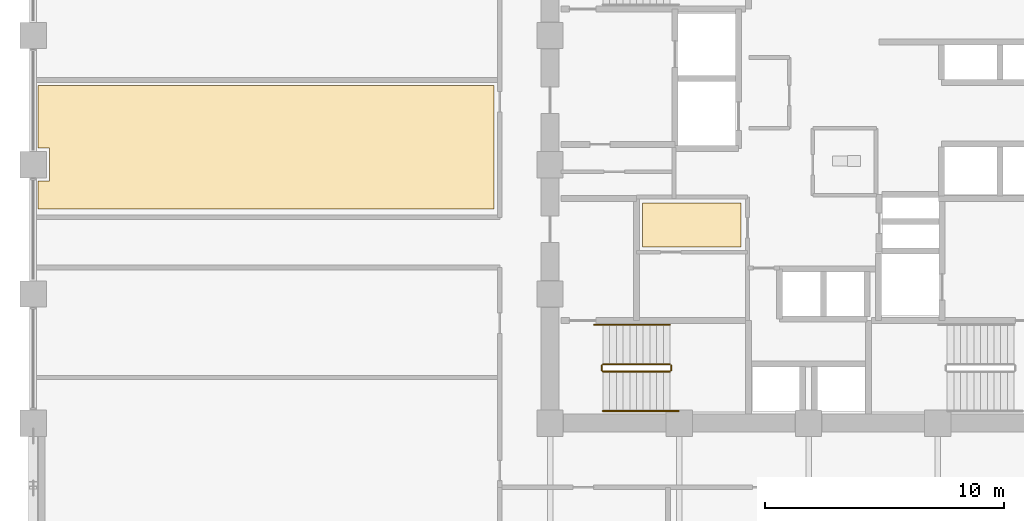
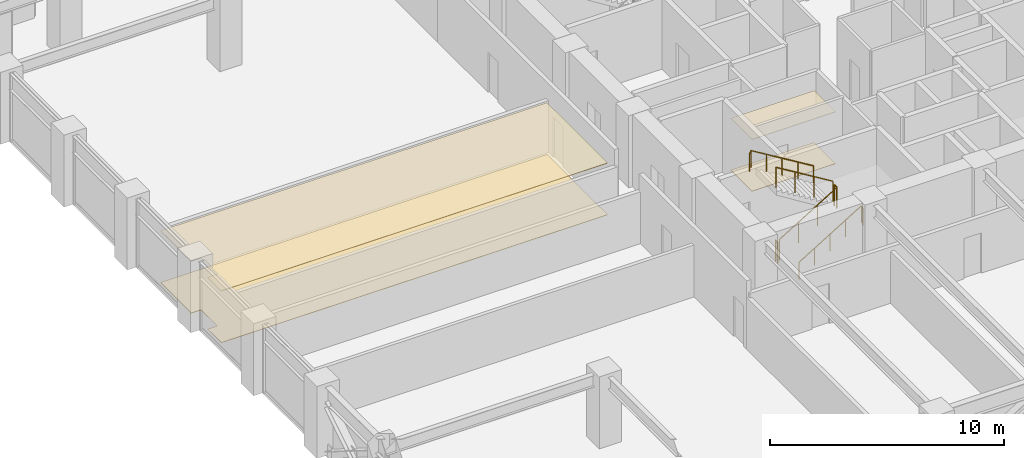
# One storey, part 23 of 25: 6 railings, 4 coverings.
"""IFC4 building model written with IfcOpenShell, lengths in metres."""

from ifc_helpers import new_model, si_unit, direction, frame, origin, origin_2d, place, context, subcontext, project, spatial, polyline, circle, outline, extrude, material, layer, layer_set, type_object, element, save


model = new_model("IFC4")

# Units and contexts
model_context = context("Model", 3, precision=1e-05, world=origin(), true_north=direction((0.0, 1.0)))
body_context = subcontext(model_context, "Body", "Model", "MODEL_VIEW")
ifc_project = project(units=[si_unit("LENGTHUNIT", "METRE"), si_unit("AREAUNIT", "SQUARE_METRE"), si_unit("VOLUMEUNIT", "CUBIC_METRE"), si_unit("PLANEANGLEUNIT", "RADIAN"), si_unit("MASSUNIT", "GRAM", prefix="KILO")], contexts=[model_context])

# Site, building, storey
site_placement = place(None, origin())
site = spatial("IfcSite", under=ifc_project, at=site_placement, CompositionType="ELEMENT")
building_placement = place(site_placement, origin())
building = spatial("IfcBuilding", under=site, at=building_placement, Name="Surkhivell Harbour Commons", CompositionType="ELEMENT")
storey_placement = place(building_placement, frame((0.0, 0.0, 120.75)))
storey = spatial("IfcBuildingStorey", under=building, at=storey_placement, Name="L31", CompositionType="ELEMENT", Elevation=120.75)

# Coverings
ifc_material_1 = material(Name="Perforated acoustic mineral-fibre ceiling tile", Category="other")
ifc_layer_1 = layer(ifc_material_1, 0.02490234375)
ifc_layer_set_1 = layer_set([ifc_layer_1], Name="Perforated acoustic mineral-fibre ceiling tile")
covering_type_1 = type_object("IfcCoveringType", Name="COV-CEIL-AC", PredefinedType="CEILING", material=ifc_layer_set_1)
covering_1_placement = place(storey_placement, frame((0.0, 0.0, 2.694091796875)))
element("IfcCovering", 1, at=covering_1_placement, inside=storey, type_object=covering_type_1, Name="L31 Suspended Acoustic Ceiling 1", PredefinedType="CEILING", context=body_context, shape_type="SweptSolid", body=[
    extrude(outline(polyline([(-6.929931640625, -3.429931640625), (-2.820068359375, -3.429931640625), (-2.820068359375, -1.60009765625), (-6.929931640625, -1.60009765625), (-6.929931640625, -3.429931640625)])), origin(), (0.0, 0.0, 1.0), 0.02490234375),
])
ifc_material_2 = material(Name="Moisture-resistant gypsum acoustic ceiling board", Category="other")
ifc_layer_2 = layer(ifc_material_2, 0.030029296875)
ifc_layer_set_2 = layer_set([ifc_layer_2], Name="Moisture-resistant gypsum acoustic ceiling board")
covering_type_2 = type_object("IfcCoveringType", Name="COV-CEIL-GYP", PredefinedType="CEILING", material=ifc_layer_set_2)
covering_2_placement = place(storey_placement, frame((0.0, 0.0, 2.68896484375)))
element("IfcCovering", 2, at=covering_2_placement, inside=storey, type_object=covering_type_2, Name="L31 Suspended Acoustic Ceiling 2", PredefinedType="CEILING", context=body_context, shape_type="SweptSolid", body=[
    extrude(outline(polyline([(-13.139892578125, -1.860107421875), (-13.139892578125, 3.320068359375), (-32.18994140625, 3.320068359375), (-32.18994140625, 0.68994140625), (-31.7099609375, 0.68994140625), (-31.7099609375, -0.68994140625), (-32.18994140625, -0.68994140625), (-32.18994140625, -1.860107421875), (-13.139892578125, -1.860107421875)])), origin(), (0.0, 0.0, 1.0), 0.030029296875),
])
ifc_material_3 = material(Name="Engineered acoustic oak timber flooring", Category="wood")
ifc_layer_3 = layer(ifc_material_3, 0.02001953125)
ifc_layer_set_3 = layer_set([ifc_layer_3], Name="Engineered acoustic oak timber flooring")
covering_type_3 = type_object("IfcCoveringType", Name="COV-FLR-TIM", PredefinedType="FLOORING", material=ifc_layer_set_3)
covering_3_placement = place(storey_placement, origin())
element("IfcCovering", 3, at=covering_3_placement, inside=storey, type_object=covering_type_3, Name="L31 Interior Floor Finish 1", PredefinedType="FLOORING", context=body_context, shape_type="SweptSolid", body=[
    extrude(outline(polyline([(-6.929931640625, -3.429931640625), (-2.820068359375, -3.429931640625), (-2.820068359375, -1.60009765625), (-6.929931640625, -1.60009765625), (-6.929931640625, -3.429931640625)])), origin(), (0.0, 0.0, 1.0), 0.02001953125),
])
covering_4_placement = place(storey_placement, origin())
element("IfcCovering", 4, at=covering_4_placement, inside=storey, type_object=covering_type_3, Name="L31 Interior Floor Finish 2", PredefinedType="FLOORING", context=body_context, shape_type="SweptSolid", body=[
    extrude(outline(polyline([(-13.139892578125, -1.860107421875), (-13.139892578125, 3.320068359375), (-32.18994140625, 3.320068359375), (-32.18994140625, 0.68994140625), (-31.7099609375, 0.68994140625), (-31.7099609375, -0.68994140625), (-32.18994140625, -0.68994140625), (-32.18994140625, -1.860107421875), (-13.139892578125, -1.860107421875)])), origin(), (0.0, 0.0, 1.0), 0.02001953125),
])

# Railings
ifc_material_4 = material(Name="Galvanised and painted steel S355 guard rail", Category="steel")
railing_type_1 = type_object("IfcRailingType", Name="RAL-ST-GRD1100", PredefinedType="GUARDRAIL", material=ifc_material_4)
railing_1_placement = place(storey_placement, frame((-8.590087890625, -8.639892578125, 0.17041015625)))
element("IfcRailing", 5, at=railing_1_placement, inside=storey, type_object=railing_type_1, Name="L31 ST3 stair guard 1", PredefinedType="GUARDRAIL", context=body_context, shape_type="SweptSolid", body=[
    extrude(circle(Radius=0.02392578125, at=origin_2d()), frame((0.0, 0.0, 1.076171875), z_axis=(0.854169791009, 0.0, 0.51999420009), x_axis=(0.0, 1.0, 0.0)), (0.0, 0.0, 1.0), 3.278076171875),
    extrude(circle(Radius=0.02099609375, at=origin_2d()), origin(), (0.0, 0.0, 1.0), 1.052001953125),
    extrude(circle(Radius=0.02099609375, at=origin_2d()), frame((0.933349609375, 0.0, 0.568115234375)), (0.0, 0.0, 1.0), 1.052001953125),
    extrude(circle(Radius=0.02099609375, at=origin_2d()), frame((1.86669921875, 0.0, 1.136474609375)), (0.0, 0.0, 1.0), 1.052001953125),
    extrude(circle(Radius=0.02099609375, at=origin_2d()), frame((2.800048828125, 0.0, 1.70458984375)), (0.0, 0.0, 1.0), 1.052001953125),
])
railing_2_placement = place(storey_placement, frame((-5.739990234375, -8.590087890625, 1.875)))
element("IfcRailing", 6, at=railing_2_placement, inside=storey, type_object=railing_type_1, Name="L31 ST3 stair guard 2", PredefinedType="GUARDRAIL", context=body_context, shape_type="SweptSolid", body=[
    extrude(circle(Radius=0.02392578125, at=origin_2d()), frame((0.0, 0.0, 1.076171875), z_axis=(0.0, 1.0, 0.0), x_axis=(-1.0, 0.0, 0.0)), (0.0, 0.0, 1.0), 0.2001953125),
    extrude(circle(Radius=0.02099609375, at=origin_2d()), origin(), (0.0, 0.0, 1.0), 1.052001953125),
    extrude(circle(Radius=0.02099609375, at=origin_2d()), frame((0.0, 0.2001953125, 0.0)), (0.0, 0.0, 1.0), 1.052001953125),
])
railing_3_placement = place(storey_placement, frame((-5.7900390625, -8.340087890625, 2.04541015625)))
element("IfcRailing", 7, at=railing_3_placement, inside=storey, type_object=railing_type_1, Name="L31 ST3 stair guard 3", PredefinedType="GUARDRAIL", context=body_context, shape_type="SweptSolid", body=[
    extrude(circle(Radius=0.02392578125, at=origin_2d()), frame((0.0, 0.0, 1.076171875), z_axis=(-0.854169791009, 0.0, 0.51999420009), x_axis=(0.0, -1.0, 0.0)), (0.0, 0.0, 1.0), 3.278076171875),
    extrude(circle(Radius=0.02099609375, at=origin_2d()), origin(), (0.0, 0.0, 1.0), 1.052001953125),
    extrude(circle(Radius=0.02099609375, at=origin_2d()), frame((-0.933349609375, 0.0, 0.568115234375)), (0.0, 0.0, 1.0), 1.052001953125),
    extrude(circle(Radius=0.02099609375, at=origin_2d()), frame((-1.86669921875, 0.0, 1.136474609375)), (0.0, 0.0, 1.0), 1.052001953125),
    extrude(circle(Radius=0.02099609375, at=origin_2d()), frame((-2.800048828125, 0.0, 1.70458984375)), (0.0, 0.0, 1.0), 1.052001953125),
])
railing_4_placement = place(storey_placement, frame((-8.639892578125, -8.590087890625, 0.0)))
element("IfcRailing", 8, at=railing_4_placement, inside=storey, type_object=railing_type_1, Name="L31 ST3 stair guard 4", PredefinedType="GUARDRAIL", context=body_context, shape_type="SweptSolid", body=[
    extrude(circle(Radius=0.02392578125, at=origin_2d()), frame((0.0, 0.0, 1.076171875), z_axis=(0.0, 1.0, 0.0), x_axis=(-1.0, 0.0, 0.0)), (0.0, 0.0, 1.0), 0.2001953125),
    extrude(circle(Radius=0.02099609375, at=origin_2d()), origin(), (0.0, 0.0, 1.0), 1.052001953125),
    extrude(circle(Radius=0.02099609375, at=origin_2d()), frame((0.0, 0.2001953125, 0.0)), (0.0, 0.0, 1.0), 1.052001953125),
])
ifc_material_5 = material(Name="Brushed stainless steel S355 handrail", Category="steel")
railing_type_2 = type_object("IfcRailingType", Name="RAL-ST-HND900", PredefinedType="HANDRAIL", material=ifc_material_5)
railing_5_placement = place(storey_placement, frame((-8.590087890625, -10.2900390625, 0.17041015625)))
element("IfcRailing", 9, at=railing_5_placement, inside=storey, type_object=railing_type_2, Name="L31 ST3 stair handrail 1", PredefinedType="HANDRAIL", context=body_context, shape_type="SweptSolid", body=[
    extrude(circle(Radius=0.02392578125, at=origin_2d()), frame((0.0, 0.0, 0.8759765625), z_axis=(0.854177636135, 0.0, 0.519981313056), x_axis=(0.0, 1.0, 0.0)), (0.0, 0.0, 1.0), 3.60595703125),
    extrude(circle(Radius=0.02392578125, at=origin_2d()), frame((3.080078125, 0.0, 2.7509765625), z_axis=(0.425297416671, 0.0, -0.905053648892), x_axis=(0.0, 1.0, 0.0)), (0.0, 0.0, 1.0), 0.188232421875),
    extrude(circle(Radius=0.02099609375, at=origin_2d()), origin(), (0.0, 0.0, 1.0), 0.851806640625),
    extrude(circle(Radius=0.02099609375, at=origin_2d()), frame((0.77001953125, 0.0, 0.46875)), (0.0, 0.0, 1.0), 0.851806640625),
    extrude(circle(Radius=0.02099609375, at=origin_2d()), frame((1.5400390625, 0.0, 0.9375)), (0.0, 0.0, 1.0), 0.851806640625),
    extrude(circle(Radius=0.02099609375, at=origin_2d()), frame((2.31005859375, 0.0, 1.40625)), (0.0, 0.0, 1.0), 0.851806640625),
    extrude(circle(Radius=0.02099609375, at=origin_2d()), frame((3.080078125, 0.0, 1.875)), (0.0, 0.0, 1.0), 0.851806640625),
    extrude(circle(Radius=0.02099609375, at=origin_2d()), frame((3.16015625, 0.0, 1.70458984375)), (0.0, 0.0, 1.0), 0.851806640625),
])
railing_6_placement = place(storey_placement, frame((-5.7900390625, -6.68994140625, 2.04541015625)))
element("IfcRailing", 10, at=railing_6_placement, inside=storey, type_object=railing_type_2, Name="L31 ST3 stair handrail 2", PredefinedType="HANDRAIL", context=body_context, shape_type="SweptSolid", body=[
    extrude(circle(Radius=0.02392578125, at=origin_2d()), frame((0.0, 0.0, 0.8759765625), z_axis=(-0.854177636135, 0.0, 0.519981313056), x_axis=(0.0, -1.0, 0.0)), (0.0, 0.0, 1.0), 3.60595703125),
    extrude(circle(Radius=0.02392578125, at=origin_2d()), frame((-3.080078125, 0.0, 2.7509765625), z_axis=(-0.424234432967, 0.0, -0.905552398199), x_axis=(0.0, -1.0, 0.0)), (0.0, 0.0, 1.0), 0.188232421875),
    extrude(circle(Radius=0.02099609375, at=origin_2d()), origin(), (0.0, 0.0, 1.0), 0.851806640625),
    extrude(circle(Radius=0.02099609375, at=origin_2d()), frame((-0.77001953125, 0.0, 0.46875)), (0.0, 0.0, 1.0), 0.851806640625),
    extrude(circle(Radius=0.02099609375, at=origin_2d()), frame((-1.5400390625, 0.0, 0.9375)), (0.0, 0.0, 1.0), 0.851806640625),
    extrude(circle(Radius=0.02099609375, at=origin_2d()), frame((-2.31005859375, 0.0, 1.40625)), (0.0, 0.0, 1.0), 0.851806640625),
    extrude(circle(Radius=0.02099609375, at=origin_2d()), frame((-3.080078125, 0.0, 1.875)), (0.0, 0.0, 1.0), 0.851806640625),
    extrude(circle(Radius=0.02099609375, at=origin_2d()), frame((-3.159912109375, 0.0, 1.70458984375)), (0.0, 0.0, 1.0), 0.851806640625),
])

save(model, "model.ifc")
